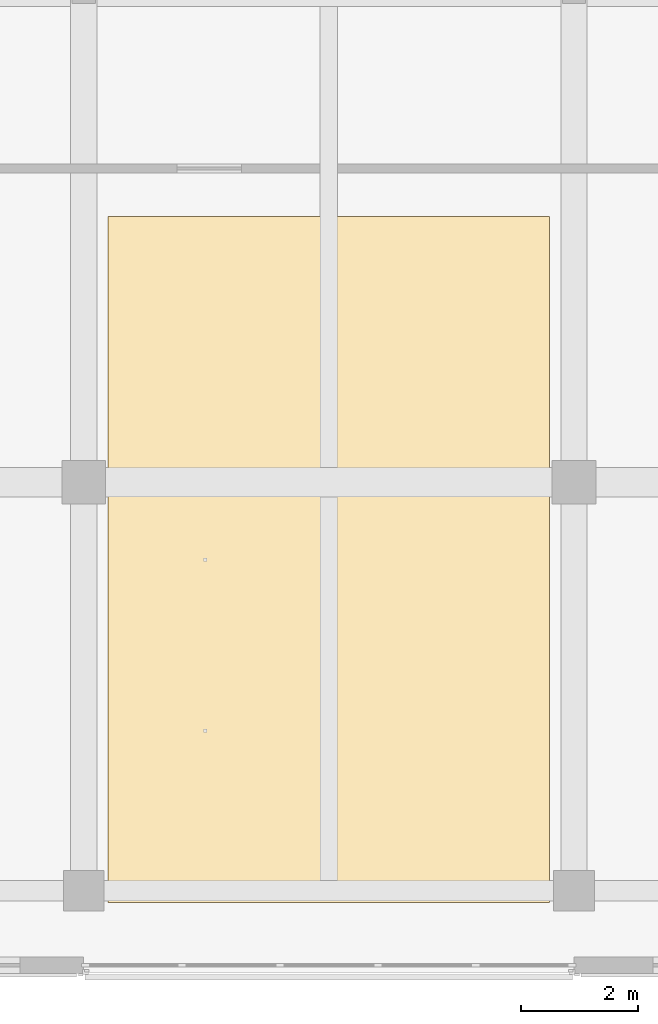
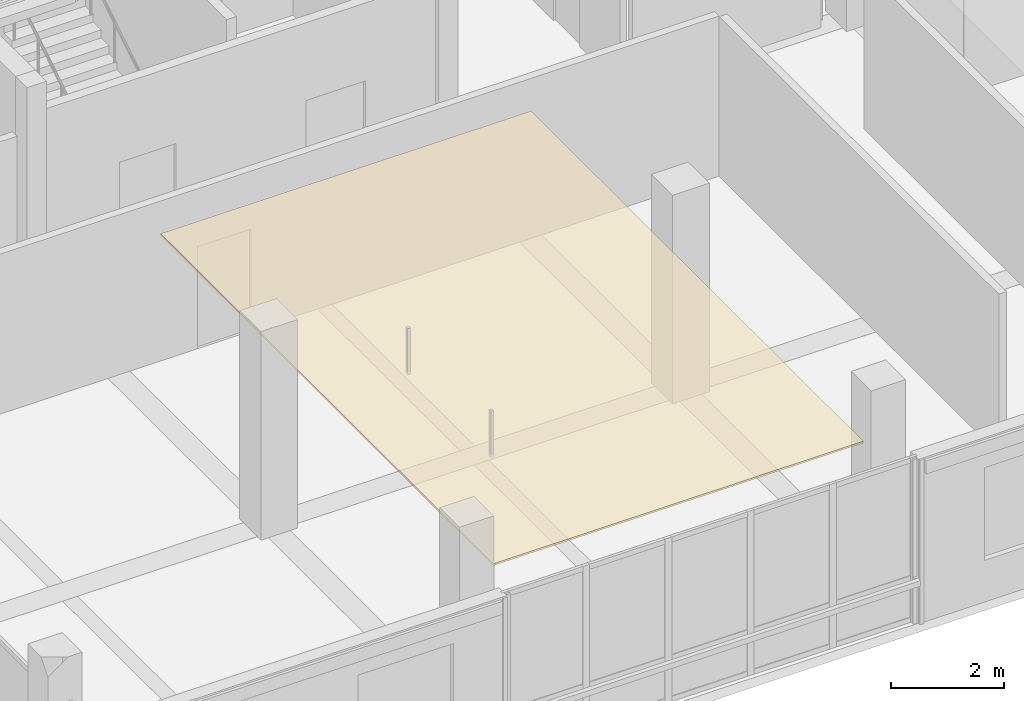
# One storey, part 23 of 35: 1 covering.
"""IFC4 building model written with IfcOpenShell, lengths in metres."""

import ifcopenshell
import ifcopenshell.guid

model = None  # the IFC model being written
_history = None  # IfcOwnerHistory: only IFC2X3 demands one
_inside = {}  # id of a spatial element -> (the spatial element, [elements in it])
_under = {}  # id of a project, library or spatial element -> (it, [spatial elements below it])
_declared = {}  # id of a project -> (the project, [libraries it declares])
_typed = {}  # id of a type object -> (the type object, [elements of that type])
_made_of = {}  # id of a material, layer set ... -> (it, [elements and type objects made of it])


def new_model(schema):
    """Start an empty IFC model of exactly this schema.

    Asked for "IFC4X3", IfcOpenShell would pick the latest addendum, in which some entities
    have other attributes; the version numbers below select the first issue.
    IFC2X3 requires an IfcOwnerHistory on every rooted entity: one is made here for all.
    """
    global model, _history
    if schema == "IFC4X3":
        model = ifcopenshell.file(schema_version=(4, 3, 0, 0))
    else:
        model = ifcopenshell.file(schema=schema)
    _inside.clear()
    _under.clear()
    _declared.clear()
    _typed.clear()
    _made_of.clear()
    _history = None
    if model.schema == "IFC2X3":
        org = make("IfcOrganization", Name="unknown")
        user = make(
            "IfcPersonAndOrganization",
            ThePerson=make("IfcPerson", FamilyName="unknown"),
            TheOrganization=org,
        )
        app = make(
            "IfcApplication",
            ApplicationDeveloper=org,
            Version="unknown",
            ApplicationFullName="unknown",
            ApplicationIdentifier="unknown",
        )
        _history = make(
            "IfcOwnerHistory",
            OwningUser=user,
            OwningApplication=app,
            ChangeAction="ADDED",
            CreationDate=0,
        )
    return model


def make(cls, **values):
    """One entity of the class cls with the attributes given. An attribute that is None is left unset."""
    return model.create_entity(
        cls, **{name: value for name, value in values.items() if value is not None}
    )


def rooted(cls, **values):
    """An entity with a GlobalId (a new one), such as an element, a storey or a relation."""
    return make(cls, GlobalId=ifcopenshell.guid.new(), OwnerHistory=_history, **values)


def si_unit(unit_type, name, prefix=None):
    """IfcSIUnit, for example si_unit("LENGTHUNIT", "METRE", prefix="MILLI")."""
    return make("IfcSIUnit", UnitType=unit_type, Prefix=prefix, Name=name)


def assignment(units):
    """IfcUnitAssignment: the units of a project."""
    return None if units is None else make("IfcUnitAssignment", Units=units)


def point(xyz):
    """IfcCartesianPoint."""
    return None if xyz is None else make("IfcCartesianPoint", Coordinates=xyz)


def direction(xyz):
    """IfcDirection."""
    return None if xyz is None else make("IfcDirection", DirectionRatios=xyz)


def frame(location, z_axis=None, x_axis=None):
    """IfcAxis2Placement3D, a coordinate frame: its origin and axes. An axis left out is left unset."""
    return make(
        "IfcAxis2Placement3D",
        Location=point(location),
        Axis=direction(z_axis),
        RefDirection=direction(x_axis),
    )


def origin():
    """The frame at (0, 0, 0) with its axes left unset."""
    return frame((0.0, 0.0, 0.0))


def place(relative_to, where):
    """IfcLocalPlacement: puts the frame where relative to a parent placement (None: the world)."""
    return make(
        "IfcLocalPlacement", PlacementRelTo=relative_to, RelativePlacement=where
    )


def context(
    kind, dimensions, precision=None, world=None, true_north=None, identifier=None
):
    """IfcGeometricRepresentationContext, for example the 3D "Model" context."""
    return make(
        "IfcGeometricRepresentationContext",
        ContextIdentifier=identifier,
        ContextType=kind,
        CoordinateSpaceDimension=dimensions,
        Precision=precision,
        WorldCoordinateSystem=world,
        TrueNorth=true_north,
    )


def subcontext(parent, identifier, kind, view, scale=None):
    """IfcGeometricRepresentationSubContext, for example "Body" below "Model"."""
    return make(
        "IfcGeometricRepresentationSubContext",
        ContextIdentifier=identifier,
        ContextType=kind,
        ParentContext=parent,
        TargetScale=scale,
        TargetView=view,
    )


def project(units=None, contexts=None):
    """IfcProject with its units and contexts."""
    return rooted(
        "IfcProject",
        Name="project",
        RepresentationContexts=contexts,
        UnitsInContext=assignment(units),
    )


def spatial(cls, under=None, at=None, **own):
    """A site, building, storey or space (cls), placed at a placement, below another one or the project."""
    s = rooted(cls, ObjectPlacement=at, **own)
    if under is not None:
        _under.setdefault(under.id(), (under, []))[1].append(s)
    return s


def polyline(points):
    """IfcPolyline through the points."""
    return make("IfcPolyline", Points=[point(p) for p in points])


def outline(outer, holes=None, kind="AREA"):
    """IfcArbitraryClosedProfileDef: a profile drawn as a closed curve; with holes, ...WithVoids."""
    if holes is None:
        return make("IfcArbitraryClosedProfileDef", ProfileType=kind, OuterCurve=outer)
    return make(
        "IfcArbitraryProfileDefWithVoids",
        ProfileType=kind,
        OuterCurve=outer,
        InnerCurves=holes,
    )


def extrude(swept, where, along, depth):
    """IfcExtrudedAreaSolid: the profile swept, set in the frame where, extruded along a direction by depth."""
    return make(
        "IfcExtrudedAreaSolid",
        SweptArea=swept,
        Position=where,
        ExtrudedDirection=direction(along),
        Depth=depth,
    )


def shape(context_of_items, identifier, shape_type, items):
    """IfcShapeRepresentation: the items that make up one representation, for example the "Body"."""
    return make(
        "IfcShapeRepresentation",
        ContextOfItems=context_of_items,
        RepresentationIdentifier=identifier,
        RepresentationType=shape_type,
        Items=items,
    )


def material(Name=None, Category=None):
    """IfcMaterial."""
    return make("IfcMaterial", Name=Name, Category=Category)


def layer(
    of_material, thickness, ventilated=None, Name=None, Category=None, Priority=None
):
    """IfcMaterialLayer: one layer of a wall or slab, of a material (None: an air gap)."""
    return make(
        "IfcMaterialLayer",
        Material=of_material,
        LayerThickness=thickness,
        IsVentilated=ventilated,
        Name=Name,
        Category=Category,
        Priority=Priority,
    )


def layer_set(layers, Name=None):
    """IfcMaterialLayerSet."""
    return make("IfcMaterialLayerSet", MaterialLayers=layers, LayerSetName=Name)


def made_of(thing, what):
    """Note that an element or type object is made of a material, layer set ...; save() writes the relation."""
    if what is not None:
        _made_of.setdefault(what.id(), (what, []))[1].append(thing)
    return thing


def type_object(cls, material=None, **own):
    """A type object (cls), such as IfcWallType, which elements share."""
    return made_of(rooted(cls, **own), material)


def element(
    cls,
    number,
    at=None,
    inside=None,
    cuts=None,
    type_object=None,
    material=None,
    context=None,
    identifier="Body",
    shape_type=None,
    held_by="IfcProductDefinitionShape",
    body=None,
    shapes=None,
    **own,
):
    """One element of the class cls, such as IfcWall. Its Tag is "e" and its number.

    at: its placement. inside: the storey or other place that contains it. cuts: it is an
    opening in that element (IfcRelVoidsElement). A single representation is given by context,
    identifier, shape_type and body (its items); several are given by shapes. held_by: the class
    of the entity that holds the representations. save() writes the other relations.
    """
    e = rooted(cls, Tag="e%d" % number, ObjectPlacement=at, **own)
    if body is not None:
        shapes = [shape(context, identifier, shape_type, body)]
    if shapes is not None:
        e.Representation = make(held_by, Representations=shapes)
    if inside is not None:
        _inside.setdefault(inside.id(), (inside, []))[1].append(e)
    if cuts is not None:
        rooted(
            "IfcRelVoidsElement", RelatingBuildingElement=cuts, RelatedOpeningElement=e
        )
    if type_object is not None:
        _typed.setdefault(type_object.id(), (type_object, []))[1].append(e)
    return made_of(e, material)


def aggregate(whole, parts):
    """IfcRelAggregates: a whole, such as a stair, and the parts it consists of."""
    return rooted("IfcRelAggregates", RelatingObject=whole, RelatedObjects=parts)


def save(model, path):
    """Write the relations noted so far, then the file.

    IfcRelAggregates (storeys below a building ...), IfcRelContainedInSpatialStructure (elements
    in a storey), IfcRelDefinesByType, IfcRelAssociatesMaterial and IfcRelDeclares: one each for
    every whole, place, type object, material and project.
    """
    for whole, parts in _under.values():
        aggregate(whole, parts)
    for where, things in _inside.values():
        rooted(
            "IfcRelContainedInSpatialStructure",
            RelatedElements=things,
            RelatingStructure=where,
        )
    for kind, things in _typed.values():
        rooted("IfcRelDefinesByType", RelatedObjects=things, RelatingType=kind)
    for what, things in _made_of.values():
        rooted("IfcRelAssociatesMaterial", RelatedObjects=things, RelatingMaterial=what)
    for by, libraries in _declared.values():
        rooted("IfcRelDeclares", RelatingContext=by, RelatedDefinitions=libraries)
    model.write(path)


model = new_model("IFC4")

# Units and contexts
model_context = context("Model", 3, precision=1e-05, world=origin(), true_north=direction((0.0, 1.0)))
body_context = subcontext(model_context, "Body", "Model", "MODEL_VIEW")
ifc_project = project(units=[si_unit("LENGTHUNIT", "METRE"), si_unit("AREAUNIT", "SQUARE_METRE"), si_unit("VOLUMEUNIT", "CUBIC_METRE"), si_unit("PLANEANGLEUNIT", "RADIAN"), si_unit("MASSUNIT", "GRAM", prefix="KILO")], contexts=[model_context])

# Site, building, storey
site_placement = place(None, origin())
site = spatial("IfcSite", under=ifc_project, at=site_placement, CompositionType="ELEMENT")
building_placement = place(site_placement, origin())
building = spatial("IfcBuilding", under=site, at=building_placement, Name="Telukmera Botanical Conservatory", CompositionType="ELEMENT")
storey_placement = place(building_placement, frame((0.0, 0.0, 46.5)))
storey = spatial("IfcBuildingStorey", under=building, at=storey_placement, Name="L10", CompositionType="ELEMENT", Elevation=46.5)

# Covering
ifc_material = material(Name="Perforated gypsum acoustic ceiling")
ifc_layer = layer(ifc_material, 0.0400390625)
ifc_layer_set = layer_set([ifc_layer], Name="Perforated gypsum acoustic ceiling")
covering_type = type_object("IfcCoveringType", Name="COV-CEIL-40", PredefinedType="CEILING", material=ifc_layer_set)
covering_placement = place(storey_placement, frame((0.0, 0.0, 3.31005859375)))
element("IfcCovering", 1, at=covering_placement, inside=storey, type_object=covering_type, Name="L10 Tissue Culture Laboratory Suspended Acoustic Ceiling", PredefinedType="CEILING", context=body_context, shape_type="SweptSolid", body=[
    extrude(outline(polyline([(59.219970703125, 10.39990234375), (66.780029296875, 10.39990234375), (66.780029296875, 22.14990234375), (59.219970703125, 22.14990234375), (59.219970703125, 10.39990234375)])), origin(), (0.0, 0.0, 1.0), 0.0400390625),
])

save(model, "model.ifc")
